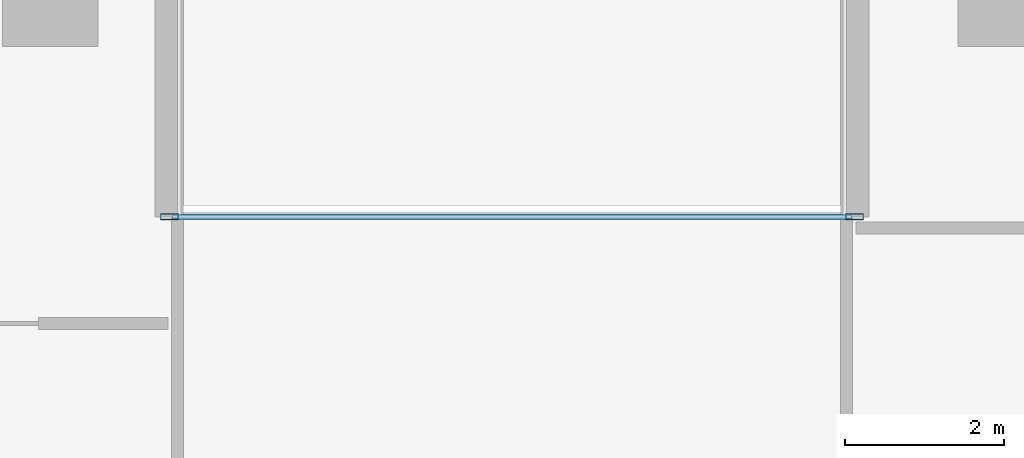
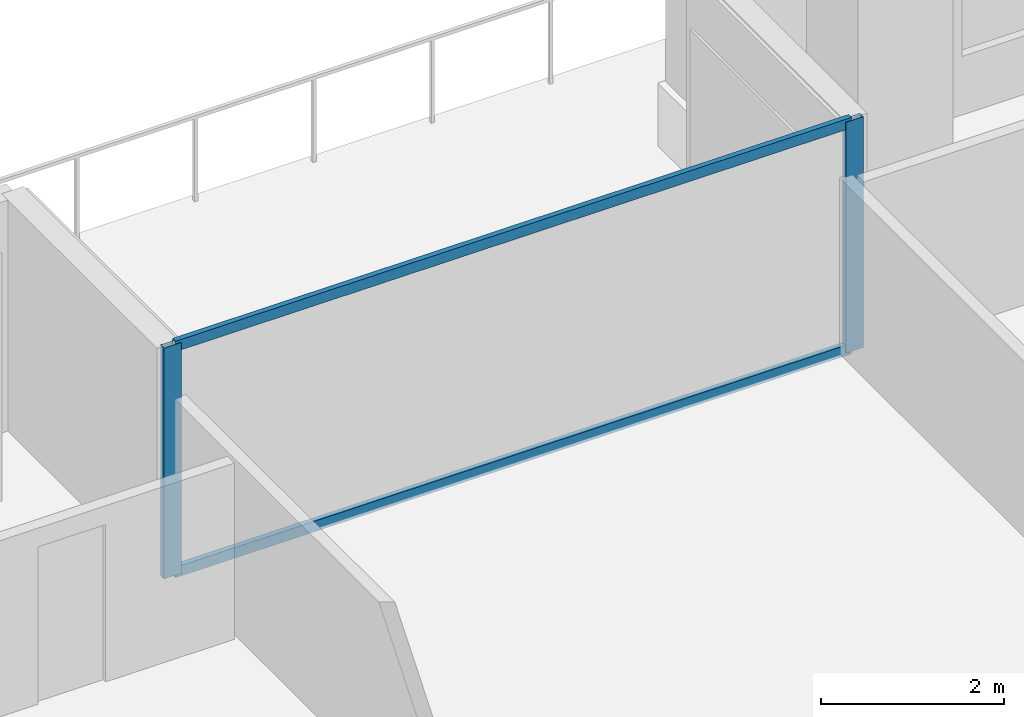
# One storey, part 4 of 23: 4 members, 1 element without a shape of its own.
"""IFC4 building model written with IfcOpenShell, lengths in metres."""

from ifc_helpers import new_model, si_unit, direction, frame, origin, origin_2d, place, context, subcontext, project, spatial, hollow_rectangle, extrude, material, layer, layer_set, material_profile, profile_set, type_object, element, aggregate, save


model = new_model("IFC4")

# Units and contexts
model_context = context("Model", 3, precision=1e-05, world=origin(), true_north=direction((0.0, 1.0)))
body_context = subcontext(model_context, "Body", "Model", "MODEL_VIEW")
ifc_project = project(units=[si_unit("LENGTHUNIT", "METRE"), si_unit("AREAUNIT", "SQUARE_METRE"), si_unit("VOLUMEUNIT", "CUBIC_METRE"), si_unit("PLANEANGLEUNIT", "RADIAN"), si_unit("MASSUNIT", "GRAM", prefix="KILO")], contexts=[model_context])

# Site, building, storey
site_placement = place(None, origin())
site = spatial("IfcSite", under=ifc_project, at=site_placement, CompositionType="ELEMENT")
building_placement = place(site_placement, origin())
building = spatial("IfcBuilding", under=site, at=building_placement, Name="Tanjung Sevakor Pilgrim Tower", CompositionType="ELEMENT")
storey_placement = place(building_placement, frame((0.0, 0.0, 29.0400390625)))
storey = spatial("IfcBuildingStorey", under=building, at=storey_placement, Name="L07", CompositionType="ELEMENT", Elevation=29.0400390625)

# Curtain wall, members
ifc_material_1 = material(Name="Aluminium 6063-T6 and Low-E Glass", Category="aluminium")
ifc_layer = layer(ifc_material_1, 0.179931640625)
ifc_layer_set = layer_set([ifc_layer], Name="CW-SYS-CLEFT")
curtain_wall_type = type_object("IfcCurtainWallType", Name="CW-SYS-CLEFT", PredefinedType="NOTDEFINED", material=ifc_layer_set)
curtain_wall_placement = place(storey_placement, origin())
curtain_wall = element("IfcCurtainWall", 1, at=curtain_wall_placement, inside=storey, type_object=curtain_wall_type, Name="L07 Curtain Wall CW-CLF-L07-10", PredefinedType="NOTDEFINED")
ifc_material_2 = material(Name="Aluminium 6063-T6", Category="aluminium")
ifc_material_profile_1 = material_profile(ifc_material_2, hollow_rectangle(XDim=0.074951171875, YDim=0.219970703125, WallThickness=0.0048828125, at=origin_2d()))
ifc_profile_set_1 = profile_set([ifc_material_profile_1], Name="Aluminium 6063-T6")
member_type_1 = type_object("IfcMemberType", Name="TYPE-CWM-2", PredefinedType="MULLION", material=ifc_profile_set_1)
member_1_placement = place(storey_placement, frame((52.1025390625, 56.06005859375, 0.0), z_axis=(0.0, 0.0, 1.0), x_axis=(0.0, -1.0, 0.0)))
member_1 = element("IfcMember", 2, at=member_1_placement, type_object=member_type_1, Name="CW-CLF mullion 1", PredefinedType="MULLION", context=body_context, shape_type="SweptSolid", body=[
    extrude(hollow_rectangle(XDim=0.074951171875, YDim=0.219970703125, WallThickness=0.0048828125, at=origin_2d()), origin(), (0.0, 0.0, 1.0), 3.080078125),
])
member_2_placement = place(storey_placement, frame((43.49755859375, 56.06005859375, 0.0), z_axis=(0.0, 0.0, 1.0), x_axis=(0.0, -1.0, 0.0)))
member_2 = element("IfcMember", 3, at=member_2_placement, type_object=member_type_1, Name="CW-CLF mullion 2", PredefinedType="MULLION", context=body_context, shape_type="SweptSolid", body=[
    extrude(hollow_rectangle(XDim=0.074951171875, YDim=0.219970703125, WallThickness=0.0048828125, at=origin_2d()), origin(), (0.0, 0.0, 1.0), 3.080078125),
])
ifc_material_3 = material(Name="Aluminium 6063-T6", Category="aluminium")
ifc_material_profile_2 = material_profile(ifc_material_3, hollow_rectangle(XDim=0.06494140625, YDim=0.139892578125, WallThickness=0.00390625, at=origin_2d()))
ifc_profile_set_2 = profile_set([ifc_material_profile_2], Name="Aluminium 6063-T6")
member_type_2 = type_object("IfcMemberType", Name="TYPE-CWT-1", PredefinedType="USERDEFINED", material=ifc_profile_set_2)
member_3_placement = place(storey_placement, frame((52.06494140625, 56.06005859375, 0.032470703125), z_axis=(-1.0, 0.0, 0.0), x_axis=(0.0, -1.0, 0.0)))
member_3 = element("IfcMember", 4, at=member_3_placement, type_object=member_type_2, Name="CW-CLF transom 1.1", ObjectType="TRANSOM", PredefinedType="USERDEFINED", context=body_context, shape_type="SweptSolid", body=[
    extrude(hollow_rectangle(XDim=0.06494140625, YDim=0.139892578125, WallThickness=0.00390625, at=origin_2d()), origin(), (0.0, 0.0, 1.0), 8.530029296875),
])
member_4_placement = place(storey_placement, frame((52.06494140625, 56.06005859375, 3.04736328125), z_axis=(-1.0, 0.0, 0.0), x_axis=(0.0, -1.0, 0.0)))
member_4 = element("IfcMember", 5, at=member_4_placement, type_object=member_type_2, Name="CW-CLF transom 1.2", ObjectType="TRANSOM", PredefinedType="USERDEFINED", context=body_context, shape_type="SweptSolid", body=[
    extrude(hollow_rectangle(XDim=0.06494140625, YDim=0.139892578125, WallThickness=0.00390625, at=origin_2d()), origin(), (0.0, 0.0, 1.0), 8.530029296875),
])
aggregate(curtain_wall, [member_1, member_2, member_3, member_4])

save(model, "model.ifc")
